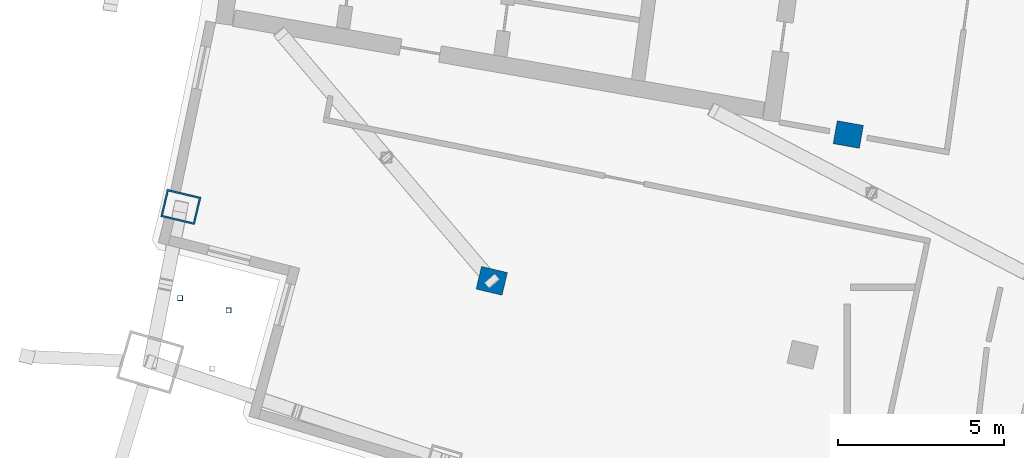
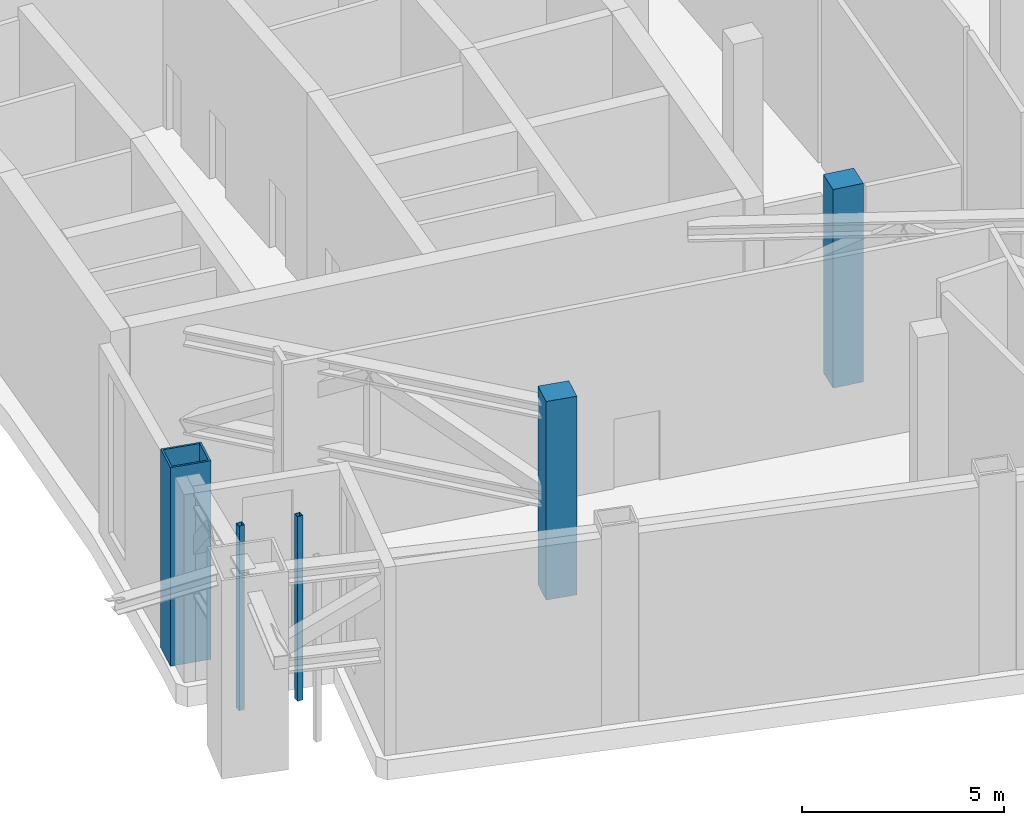
# One storey, part 3 of 23: 5 columns.
"""IFC4 building model written with IfcOpenShell, lengths in metres."""

from ifc_helpers import new_model, si_unit, direction, frame, origin, origin_2d, place, context, subcontext, project, spatial, rectangle, hollow_rectangle, extrude, material, material_profile, profile_set, type_object, element, save


model = new_model("IFC4")

# Units and contexts
model_context = context("Model", 3, precision=1e-05, world=origin(), true_north=direction((0.0, 1.0)))
body_context = subcontext(model_context, "Body", "Model", "MODEL_VIEW")
ifc_project = project(units=[si_unit("LENGTHUNIT", "METRE"), si_unit("AREAUNIT", "SQUARE_METRE"), si_unit("VOLUMEUNIT", "CUBIC_METRE"), si_unit("PLANEANGLEUNIT", "RADIAN"), si_unit("MASSUNIT", "GRAM", prefix="KILO")], contexts=[model_context])

# Site, building, storey
site_placement = place(None, origin())
site = spatial("IfcSite", under=ifc_project, at=site_placement, CompositionType="ELEMENT")
building_placement = place(site_placement, origin())
building = spatial("IfcBuilding", under=site, at=building_placement, Name="Alderwake Tower", CompositionType="ELEMENT")
storey_placement = place(building_placement, frame((0.0, 0.0, 239.60009765625)))
storey = spatial("IfcBuildingStorey", under=building, at=storey_placement, Name="L59", CompositionType="ELEMENT", Elevation=239.60009765625)

# Columns
ifc_material_1 = material(Name="Concrete C70/85", Category="concrete")
ifc_material_profile_1 = material_profile(ifc_material_1, rectangle(XDim=0.699951171875, YDim=0.800048828125, at=origin_2d()), Name="RC 800X700")
ifc_profile_set_1 = profile_set([ifc_material_profile_1], Name="Concrete C70/85")
column_type_1 = type_object("IfcColumnType", Name="Interior column Z4", PredefinedType="COLUMN", material=ifc_profile_set_1)
for number, where, z_axis, x_axis, name in (
    (1, (23.322021484375, 36.444091796875, 0.0), (0.0, 0.0, 1.0), (0.231221547198, 0.972901123502, 0.0), "Column R03-C1"),
    (2, (34.03125, 40.83837890625, 0.0), (0.0, 0.0, 1.0), (0.174108800747, 0.984726421654, 0.0), "Column R04-C2"),
):
    element("IfcColumn", number, at=place(storey_placement, frame(where, z_axis=z_axis, x_axis=x_axis)), inside=storey, type_object=column_type_1, Name=name, PredefinedType="COLUMN", context=body_context, shape_type="SweptSolid", body=[
        extrude(rectangle(XDim=0.699951171875, YDim=0.800048828125, at=origin_2d()), origin(), (0.0, 0.0, 1.0), 6.0),
    ])
ifc_material_2 = material(Name="Steel ASTM A500 Grade C", Category="steel")
ifc_material_profile_2 = material_profile(ifc_material_2, hollow_rectangle(XDim=0.15234375, YDim=0.15234375, WallThickness=0.0087890625, at=origin_2d()), Name="HSS6X6X3/8")
ifc_profile_set_2 = profile_set([ifc_material_profile_2], Name="Steel ASTM A500 Grade C")
column_type_2 = type_object("IfcColumnType", Name="Light post HSS6X6X3/8", PredefinedType="COLUMN", material=ifc_profile_set_2)
for number, where, z_axis, x_axis, name in (
    (3, (13.962158203125, 35.926513671875, 0.0), (0.0, 0.0, 1.0), (1.0, 0.0, 0.0), "Terrace post RS1"),
    (4, (15.41650390625, 35.558349609375, 0.0), (0.0, 0.0, 1.0), (1.0, 0.0, 0.0), "Terrace post RS3"),
):
    element("IfcColumn", number, at=place(storey_placement, frame(where, z_axis=z_axis, x_axis=x_axis)), inside=storey, type_object=column_type_2, Name=name, PredefinedType="COLUMN", context=body_context, shape_type="SweptSolid", body=[
        extrude(hollow_rectangle(XDim=0.15234375, YDim=0.15234375, WallThickness=0.0087890625, at=origin_2d()), origin(), (0.0, 0.0, 1.0), 5.579833984375),
    ])
ifc_material_3 = material(Name="Steel ASTM A572 Grade 50 concrete filled C70/85", Category="concrete")
ifc_material_profile_3 = material_profile(ifc_material_3, hollow_rectangle(XDim=0.85009765625, YDim=1.050048828125, WallThickness=0.054931640625, at=origin_2d()), Name="BOX 1050X850X55")
ifc_profile_set_3 = profile_set([ifc_material_profile_3], Name="Steel ASTM A572 Grade 50 concrete filled C70/85")
column_type_3 = type_object("IfcColumnType", Name="Perimeter column Z4", PredefinedType="COLUMN", material=ifc_profile_set_3)
column_placement = place(storey_placement, frame((13.982177734375, 38.6640625, 0.0), z_axis=(0.0, 0.0, 1.0), x_axis=(0.231221547198, 0.972901123502, 0.0)))
element("IfcColumn", 5, at=column_placement, inside=storey, type_object=column_type_3, Name="Column R03-C0", PredefinedType="COLUMN", context=body_context, shape_type="SweptSolid", body=[
    extrude(hollow_rectangle(XDim=0.85009765625, YDim=1.050048828125, WallThickness=0.054931640625, at=origin_2d()), origin(), (0.0, 0.0, 1.0), 6.0),
])

save(model, "model.ifc")
